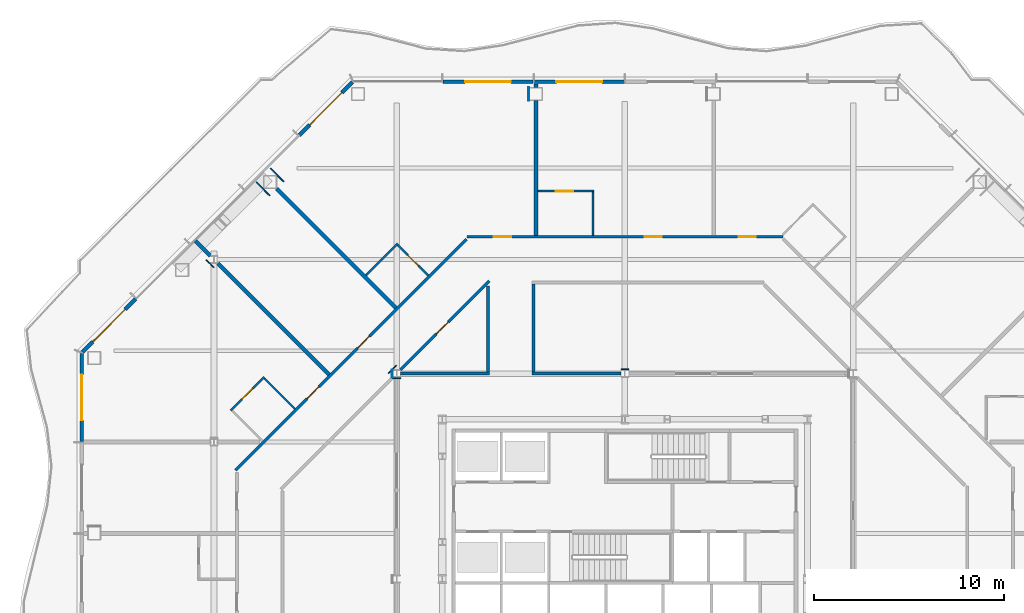
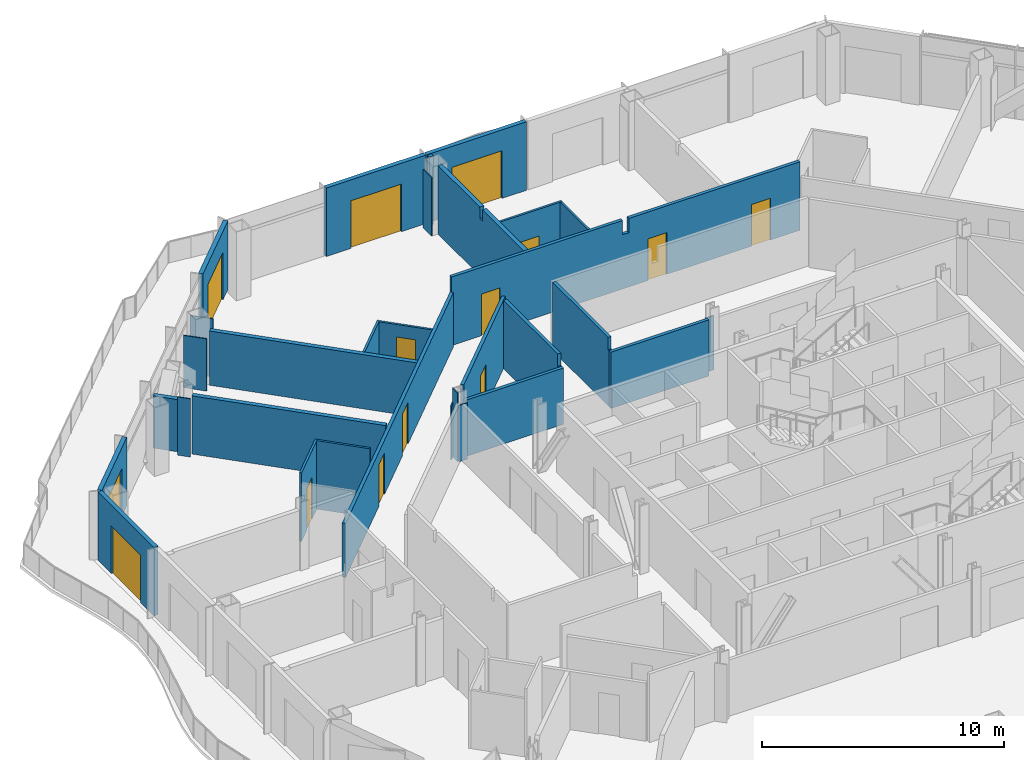
# One storey, part 14 of 24: 31 walls, 14 doors, 14 openings.
"""IFC4 building model written with IfcOpenShell, lengths in metres."""

import ifcopenshell
import ifcopenshell.guid

model = None  # the IFC model being written
_history = None  # IfcOwnerHistory: only IFC2X3 demands one
_inside = {}  # id of a spatial element -> (the spatial element, [elements in it])
_under = {}  # id of a project, library or spatial element -> (it, [spatial elements below it])
_declared = {}  # id of a project -> (the project, [libraries it declares])
_typed = {}  # id of a type object -> (the type object, [elements of that type])
_made_of = {}  # id of a material, layer set ... -> (it, [elements and type objects made of it])


def new_model(schema):
    """Start an empty IFC model of exactly this schema.

    Asked for "IFC4X3", IfcOpenShell would pick the latest addendum, in which some entities
    have other attributes; the version numbers below select the first issue.
    IFC2X3 requires an IfcOwnerHistory on every rooted entity: one is made here for all.
    """
    global model, _history
    if schema == "IFC4X3":
        model = ifcopenshell.file(schema_version=(4, 3, 0, 0))
    else:
        model = ifcopenshell.file(schema=schema)
    _inside.clear()
    _under.clear()
    _declared.clear()
    _typed.clear()
    _made_of.clear()
    _history = None
    if model.schema == "IFC2X3":
        org = make("IfcOrganization", Name="unknown")
        user = make(
            "IfcPersonAndOrganization",
            ThePerson=make("IfcPerson", FamilyName="unknown"),
            TheOrganization=org,
        )
        app = make(
            "IfcApplication",
            ApplicationDeveloper=org,
            Version="unknown",
            ApplicationFullName="unknown",
            ApplicationIdentifier="unknown",
        )
        _history = make(
            "IfcOwnerHistory",
            OwningUser=user,
            OwningApplication=app,
            ChangeAction="ADDED",
            CreationDate=0,
        )
    return model


def make(cls, **values):
    """One entity of the class cls with the attributes given. An attribute that is None is left unset."""
    return model.create_entity(
        cls, **{name: value for name, value in values.items() if value is not None}
    )


def rooted(cls, **values):
    """An entity with a GlobalId (a new one), such as an element, a storey or a relation."""
    return make(cls, GlobalId=ifcopenshell.guid.new(), OwnerHistory=_history, **values)


def si_unit(unit_type, name, prefix=None):
    """IfcSIUnit, for example si_unit("LENGTHUNIT", "METRE", prefix="MILLI")."""
    return make("IfcSIUnit", UnitType=unit_type, Prefix=prefix, Name=name)


def assignment(units):
    """IfcUnitAssignment: the units of a project."""
    return None if units is None else make("IfcUnitAssignment", Units=units)


def point(xyz):
    """IfcCartesianPoint."""
    return None if xyz is None else make("IfcCartesianPoint", Coordinates=xyz)


def direction(xyz):
    """IfcDirection."""
    return None if xyz is None else make("IfcDirection", DirectionRatios=xyz)


def frame(location, z_axis=None, x_axis=None):
    """IfcAxis2Placement3D, a coordinate frame: its origin and axes. An axis left out is left unset."""
    return make(
        "IfcAxis2Placement3D",
        Location=point(location),
        Axis=direction(z_axis),
        RefDirection=direction(x_axis),
    )


def frame_2d(location, x_axis=None):
    """IfcAxis2Placement2D, a coordinate frame in the plane: its origin and x axis."""
    return make(
        "IfcAxis2Placement2D", Location=point(location), RefDirection=direction(x_axis)
    )


def origin():
    """The frame at (0, 0, 0) with its axes left unset."""
    return frame((0.0, 0.0, 0.0))


def place(relative_to, where):
    """IfcLocalPlacement: puts the frame where relative to a parent placement (None: the world)."""
    return make(
        "IfcLocalPlacement", PlacementRelTo=relative_to, RelativePlacement=where
    )


def context(
    kind, dimensions, precision=None, world=None, true_north=None, identifier=None
):
    """IfcGeometricRepresentationContext, for example the 3D "Model" context."""
    return make(
        "IfcGeometricRepresentationContext",
        ContextIdentifier=identifier,
        ContextType=kind,
        CoordinateSpaceDimension=dimensions,
        Precision=precision,
        WorldCoordinateSystem=world,
        TrueNorth=true_north,
    )


def subcontext(parent, identifier, kind, view, scale=None):
    """IfcGeometricRepresentationSubContext, for example "Body" below "Model"."""
    return make(
        "IfcGeometricRepresentationSubContext",
        ContextIdentifier=identifier,
        ContextType=kind,
        ParentContext=parent,
        TargetScale=scale,
        TargetView=view,
    )


def project(units=None, contexts=None):
    """IfcProject with its units and contexts."""
    return rooted(
        "IfcProject",
        Name="project",
        RepresentationContexts=contexts,
        UnitsInContext=assignment(units),
    )


def spatial(cls, under=None, at=None, **own):
    """A site, building, storey or space (cls), placed at a placement, below another one or the project."""
    s = rooted(cls, ObjectPlacement=at, **own)
    if under is not None:
        _under.setdefault(under.id(), (under, []))[1].append(s)
    return s


def polyline(points):
    """IfcPolyline through the points."""
    return make("IfcPolyline", Points=[point(p) for p in points])


def profile(cls, at=None, kind="AREA", **sizes):
    """A parametric profile (cls). Its sizes go by their IFC names, for example OverallWidth=200.0."""
    return make(cls, ProfileType=kind, Position=at, **sizes)


def rectangle(**sizes):
    """IfcRectangleProfileDef."""
    return profile("IfcRectangleProfileDef", **sizes)


def outline(outer, holes=None, kind="AREA"):
    """IfcArbitraryClosedProfileDef: a profile drawn as a closed curve; with holes, ...WithVoids."""
    if holes is None:
        return make("IfcArbitraryClosedProfileDef", ProfileType=kind, OuterCurve=outer)
    return make(
        "IfcArbitraryProfileDefWithVoids",
        ProfileType=kind,
        OuterCurve=outer,
        InnerCurves=holes,
    )


def extrude(swept, where, along, depth):
    """IfcExtrudedAreaSolid: the profile swept, set in the frame where, extruded along a direction by depth."""
    return make(
        "IfcExtrudedAreaSolid",
        SweptArea=swept,
        Position=where,
        ExtrudedDirection=direction(along),
        Depth=depth,
    )


def shape(context_of_items, identifier, shape_type, items):
    """IfcShapeRepresentation: the items that make up one representation, for example the "Body"."""
    return make(
        "IfcShapeRepresentation",
        ContextOfItems=context_of_items,
        RepresentationIdentifier=identifier,
        RepresentationType=shape_type,
        Items=items,
    )


def material(Name=None, Category=None):
    """IfcMaterial."""
    return make("IfcMaterial", Name=Name, Category=Category)


def layer(
    of_material, thickness, ventilated=None, Name=None, Category=None, Priority=None
):
    """IfcMaterialLayer: one layer of a wall or slab, of a material (None: an air gap)."""
    return make(
        "IfcMaterialLayer",
        Material=of_material,
        LayerThickness=thickness,
        IsVentilated=ventilated,
        Name=Name,
        Category=Category,
        Priority=Priority,
    )


def layer_set(layers, Name=None):
    """IfcMaterialLayerSet."""
    return make("IfcMaterialLayerSet", MaterialLayers=layers, LayerSetName=Name)


def made_of(thing, what):
    """Note that an element or type object is made of a material, layer set ...; save() writes the relation."""
    if what is not None:
        _made_of.setdefault(what.id(), (what, []))[1].append(thing)
    return thing


def type_object(cls, material=None, **own):
    """A type object (cls), such as IfcWallType, which elements share."""
    return made_of(rooted(cls, **own), material)


def element(
    cls,
    number,
    at=None,
    inside=None,
    cuts=None,
    type_object=None,
    material=None,
    context=None,
    identifier="Body",
    shape_type=None,
    held_by="IfcProductDefinitionShape",
    body=None,
    shapes=None,
    **own,
):
    """One element of the class cls, such as IfcWall. Its Tag is "e" and its number.

    at: its placement. inside: the storey or other place that contains it. cuts: it is an
    opening in that element (IfcRelVoidsElement). A single representation is given by context,
    identifier, shape_type and body (its items); several are given by shapes. held_by: the class
    of the entity that holds the representations. save() writes the other relations.
    """
    e = rooted(cls, Tag="e%d" % number, ObjectPlacement=at, **own)
    if body is not None:
        shapes = [shape(context, identifier, shape_type, body)]
    if shapes is not None:
        e.Representation = make(held_by, Representations=shapes)
    if inside is not None:
        _inside.setdefault(inside.id(), (inside, []))[1].append(e)
    if cuts is not None:
        rooted(
            "IfcRelVoidsElement", RelatingBuildingElement=cuts, RelatedOpeningElement=e
        )
    if type_object is not None:
        _typed.setdefault(type_object.id(), (type_object, []))[1].append(e)
    return made_of(e, material)


def fill(opening, filler):
    """IfcRelFillsElement: the door or window that sits in an opening."""
    return rooted(
        "IfcRelFillsElement",
        RelatingOpeningElement=opening,
        RelatedBuildingElement=filler,
    )


def aggregate(whole, parts):
    """IfcRelAggregates: a whole, such as a stair, and the parts it consists of."""
    return rooted("IfcRelAggregates", RelatingObject=whole, RelatedObjects=parts)


def save(model, path):
    """Write the relations noted so far, then the file.

    IfcRelAggregates (storeys below a building ...), IfcRelContainedInSpatialStructure (elements
    in a storey), IfcRelDefinesByType, IfcRelAssociatesMaterial and IfcRelDeclares: one each for
    every whole, place, type object, material and project.
    """
    for whole, parts in _under.values():
        aggregate(whole, parts)
    for where, things in _inside.values():
        rooted(
            "IfcRelContainedInSpatialStructure",
            RelatedElements=things,
            RelatingStructure=where,
        )
    for kind, things in _typed.values():
        rooted("IfcRelDefinesByType", RelatedObjects=things, RelatingType=kind)
    for what, things in _made_of.values():
        rooted("IfcRelAssociatesMaterial", RelatedObjects=things, RelatingMaterial=what)
    for by, libraries in _declared.values():
        rooted("IfcRelDeclares", RelatingContext=by, RelatedDefinitions=libraries)
    model.write(path)


model = new_model("IFC4")

# Units and contexts
model_context = context("Model", 3, precision=1e-05, world=origin(), true_north=direction((0.0, 1.0)))
body_context = subcontext(model_context, "Body", "Model", "MODEL_VIEW")
ifc_project = project(units=[si_unit("LENGTHUNIT", "METRE"), si_unit("AREAUNIT", "SQUARE_METRE"), si_unit("VOLUMEUNIT", "CUBIC_METRE"), si_unit("PLANEANGLEUNIT", "RADIAN"), si_unit("MASSUNIT", "GRAM", prefix="KILO")], contexts=[model_context])

# Site, building, storey
site_placement = place(None, origin())
site = spatial("IfcSite", under=ifc_project, at=site_placement, CompositionType="ELEMENT")
building_placement = place(site_placement, origin())
building = spatial("IfcBuilding", under=site, at=building_placement, Name="Cairn Pilgrim Tower", CompositionType="ELEMENT")
storey_placement = place(building_placement, frame((0.0, 0.0, 125.39990234375)))
storey = spatial("IfcBuildingStorey", under=building, at=storey_placement, Name="L30", CompositionType="ELEMENT", Elevation=125.39990234375)

# Wall, opening, door
ifc_material_1 = material(Name="Bronze anodised aluminium insulated sandwich panel with mineral wool fill", Category="aluminium")
ifc_layer_1 = layer(ifc_material_1, 0.199951171875)
ifc_layer_set_1 = layer_set([ifc_layer_1], Name="BRONZE INFILL FRAME WALL 200")
wall_type_1 = type_object("IfcWallType", Name="BRONZE INFILL FRAME WALL 200", PredefinedType="NOTDEFINED", material=ifc_layer_set_1)
wall_1_placement = place(storey_placement, frame((7.169921875, 28.550048828125, 0.0), z_axis=(0.0, 0.0, 1.0), x_axis=(-1.0, 0.0, 0.0)))
wall_1 = element("IfcWall", 1, at=wall_1_placement, inside=storey, type_object=wall_type_1, Name="Bronze infill frame wall IW-N4", PredefinedType="NOTDEFINED", context=body_context, shape_type="SweptSolid", body=[
    extrude(rectangle(XDim=4.739990234375, YDim=0.199951171875, at=frame_2d((2.3701171875, 0.0))), origin(), (0.0, 0.0, 1.0), 3.4501953125),
])
opening_1_placement = place(wall_1_placement, frame((1.17041015625, 0.0, 0.0)))
opening_1 = element("IfcOpeningElement", 2, at=opening_1_placement, cuts=wall_1, Name="Opening 3009B2", PredefinedType="OPENING", context=body_context, shape_type="SweptSolid", body=[
    extrude(rectangle(XDim=2.39990234375, YDim=2.39990234375, at=frame_2d((1.199951171875, 1.199951171875))), frame((0.0, 0.10986328125, 0.0), z_axis=(0.0, -1.0, 0.0), x_axis=(1.0, 0.0, 0.0)), (0.0, 0.0, 1.0), 0.219970703125),
])
ifc_material_2 = material(Name="Bronze anodised aluminium frame with tinted low-E glass", Category="aluminium")
door_type_1 = type_object("IfcDoorType", Name="BALCONY SLIDING DOOR 2400x2400", OperationType="DOUBLE_DOOR_SLIDING", PredefinedType="DOOR", material=ifc_material_2)
door_1_placement = place(opening_1_placement, origin())
door_1 = element("IfcDoor", 3, at=door_1_placement, inside=storey, type_object=door_type_1, Name="Balcony sliding door 3009B2", OperationType="SINGLE_SWING_LEFT", OverallHeight=2.39990234375, OverallWidth=2.39990234375, PredefinedType="DOOR", context=body_context, shape_type="SweptSolid", body=[
    extrude(rectangle(XDim=2.39990234375, YDim=2.39990234375, at=frame_2d((1.199951171875, 1.199951171875))), frame((0.0, 0.02490234375, 0.0), z_axis=(0.0, -1.0, 0.0), x_axis=(1.0, 0.0, 0.0)), (0.0, 0.0, 1.0), 0.050048828125),
])
fill(opening_1, door_1)

wall_2_placement = place(storey_placement, frame((2.3701171875, 28.550048828125, 0.0), z_axis=(0.0, 0.0, 1.0), x_axis=(-1.0, 0.0, 0.0)))
wall_2 = element("IfcWall", 4, at=wall_2_placement, inside=storey, type_object=wall_type_1, Name="Bronze infill frame wall IW-N5", PredefinedType="NOTDEFINED", context=body_context, shape_type="SweptSolid", body=[
    extrude(rectangle(XDim=4.740234375, YDim=0.199951171875, at=frame_2d((2.3701171875, 0.0))), origin(), (0.0, 0.0, 1.0), 3.4501953125),
])
opening_2_placement = place(wall_2_placement, frame((1.169677734375, 0.0, 0.0)))
opening_2 = element("IfcOpeningElement", 5, at=opening_2_placement, cuts=wall_2, Name="Opening 3010B", PredefinedType="OPENING", context=body_context, shape_type="SweptSolid", body=[
    extrude(rectangle(XDim=2.39990234375, YDim=2.39990234375, at=frame_2d((1.199951171875, 1.199951171875))), frame((0.0, 0.10986328125, 0.0), z_axis=(0.0, -1.0, 0.0), x_axis=(1.0, 0.0, 0.0)), (0.0, 0.0, 1.0), 0.219970703125),
])
door_2_placement = place(opening_2_placement, origin())
door_2 = element("IfcDoor", 6, at=door_2_placement, inside=storey, type_object=door_type_1, Name="Balcony sliding door 3010B", OperationType="SINGLE_SWING_LEFT", OverallHeight=2.39990234375, OverallWidth=2.39990234375, PredefinedType="DOOR", context=body_context, shape_type="SweptSolid", body=[
    extrude(rectangle(XDim=2.39990234375, YDim=2.39990234375, at=frame_2d((1.199951171875, 1.199951171875))), frame((0.0, 0.02490234375, 0.0), z_axis=(0.0, -1.0, 0.0), x_axis=(1.0, 0.0, 0.0)), (0.0, 0.0, 1.0), 0.050048828125),
])
fill(opening_2, door_2)

wall_3_placement = place(storey_placement, frame((-7.124755859375, 28.521728515625, 0.0), z_axis=(0.0, 0.0, 1.0), x_axis=(-0.707106781187, -0.707106781187, 0.0)))
wall_3 = element("IfcWall", 7, at=wall_3_placement, inside=storey, type_object=wall_type_1, Name="Bronze infill frame wall IW-NW1", PredefinedType="NOTDEFINED", context=body_context, shape_type="SweptSolid", body=[
    extrude(rectangle(XDim=3.961669921875, YDim=0.199951171875, at=frame_2d((1.98095703125, 0.0))), origin(), (0.0, 0.0, 1.0), 3.4501953125),
])
opening_3_placement = place(wall_3_placement, frame((0.775390625, 0.0, 0.0)))
opening_3 = element("IfcOpeningElement", 8, at=opening_3_placement, cuts=wall_3, Name="Opening 3010B2", PredefinedType="OPENING", context=body_context, shape_type="SweptSolid", body=[
    extrude(rectangle(XDim=2.39990234375, YDim=2.39990234375, at=frame_2d((1.199951171875, 1.199951171875))), frame((0.0, 0.10986328125, 0.0), z_axis=(0.0, -1.0, 0.0), x_axis=(1.0, 0.0, 0.0)), (0.0, 0.0, 1.0), 0.219970703125),
])
door_3_placement = place(opening_3_placement, origin())
door_3 = element("IfcDoor", 9, at=door_3_placement, inside=storey, type_object=door_type_1, Name="Balcony sliding door 3010B2", OperationType="SINGLE_SWING_LEFT", OverallHeight=2.39990234375, OverallWidth=2.39990234375, PredefinedType="DOOR", context=body_context, shape_type="SweptSolid", body=[
    extrude(rectangle(XDim=2.39990234375, YDim=2.39990234375, at=frame_2d((1.199951171875, 1.199951171875))), frame((0.0, 0.02490234375, 0.0), z_axis=(0.0, -1.0, 0.0), x_axis=(1.0, 0.0, 0.0)), (0.0, 0.0, 1.0), 0.050048828125),
])
fill(opening_3, door_3)

wall_4_placement = place(storey_placement, frame((-18.5205078125, 17.1259765625, 0.0), z_axis=(0.0, 0.0, 1.0), x_axis=(-0.707106781187, -0.707106781187, 0.0)))
wall_4 = element("IfcWall", 10, at=wall_4_placement, inside=storey, type_object=wall_type_1, Name="Bronze infill frame wall IW-NW5", PredefinedType="NOTDEFINED", context=body_context, shape_type="SweptSolid", body=[
    extrude(rectangle(XDim=3.961669921875, YDim=0.199951171875, at=frame_2d((1.98095703125, 0.0))), origin(), (0.0, 0.0, 1.0), 3.4501953125),
])
opening_4_placement = place(wall_4_placement, frame((0.785888671875, 0.0, 0.0)))
opening_4 = element("IfcOpeningElement", 11, at=opening_4_placement, cuts=wall_4, Name="Opening 3012B2", PredefinedType="OPENING", context=body_context, shape_type="SweptSolid", body=[
    extrude(rectangle(XDim=2.39990234375, YDim=2.39990234375, at=frame_2d((1.199951171875, 1.199951171875))), frame((0.0, 0.10986328125, 0.0), z_axis=(0.0, -1.0, 0.0), x_axis=(1.0, 0.0, 0.0)), (0.0, 0.0, 1.0), 0.219970703125),
])
door_4_placement = place(opening_4_placement, origin())
door_4 = element("IfcDoor", 12, at=door_4_placement, inside=storey, type_object=door_type_1, Name="Balcony sliding door 3012B2", OperationType="SINGLE_SWING_LEFT", OverallHeight=2.39990234375, OverallWidth=2.39990234375, PredefinedType="DOOR", context=body_context, shape_type="SweptSolid", body=[
    extrude(rectangle(XDim=2.39990234375, YDim=2.39990234375, at=frame_2d((1.199951171875, 1.199951171875))), frame((0.0, 0.02490234375, 0.0), z_axis=(0.0, -1.0, 0.0), x_axis=(1.0, 0.0, 0.0)), (0.0, 0.0, 1.0), 0.050048828125),
])
fill(opening_4, door_4)

wall_5_placement = place(storey_placement, frame((-21.35009765625, 14.25634765625, 0.0), z_axis=(0.0, 0.0, 1.0), x_axis=(0.0, -1.0, 0.0)))
wall_5 = element("IfcWall", 13, at=wall_5_placement, inside=storey, type_object=wall_type_1, Name="Bronze infill frame wall IW-W1", PredefinedType="NOTDEFINED", context=body_context, shape_type="SweptSolid", body=[
    extrude(rectangle(XDim=4.62646484375, YDim=0.199951171875, at=frame_2d((2.313232421875, 0.0))), origin(), (0.0, 0.0, 1.0), 3.4501953125),
])
opening_5_placement = place(wall_5_placement, frame((1.1083984375, 0.0, 0.0)))
opening_5 = element("IfcOpeningElement", 14, at=opening_5_placement, cuts=wall_5, Name="Opening 3012B", PredefinedType="OPENING", context=body_context, shape_type="SweptSolid", body=[
    extrude(rectangle(XDim=2.39990234375, YDim=2.39990234375, at=frame_2d((1.199951171875, 1.199951171875))), frame((0.0, 0.10986328125, 0.0), z_axis=(0.0, -1.0, 0.0), x_axis=(1.0, 0.0, 0.0)), (0.0, 0.0, 1.0), 0.219970703125),
])
door_5_placement = place(opening_5_placement, origin())
door_5 = element("IfcDoor", 15, at=door_5_placement, inside=storey, type_object=door_type_1, Name="Balcony sliding door 3012B", OperationType="SINGLE_SWING_LEFT", OverallHeight=2.39990234375, OverallWidth=2.39990234375, PredefinedType="DOOR", context=body_context, shape_type="SweptSolid", body=[
    extrude(rectangle(XDim=2.39990234375, YDim=2.39990234375, at=frame_2d((1.199951171875, 1.199951171875))), frame((0.0, 0.02490234375, 0.0), z_axis=(0.0, -1.0, 0.0), x_axis=(1.0, 0.0, 0.0)), (0.0, 0.0, 1.0), 0.050048828125),
])
fill(opening_5, door_5)

ifc_material_3 = material(Name="Gypsum partition")
ifc_layer_2 = layer(ifc_material_3, 0.10009765625)
ifc_layer_set_2 = layer_set([ifc_layer_2], Name="PARTITION 100 DRYWALL")
wall_type_2 = type_object("IfcWallType", Name="PARTITION 100 DRYWALL", PredefinedType="PARTITIONING", material=ifc_layer_set_2)
wall_6_placement = place(storey_placement, frame((-13.5263671875, 11.26171875, 0.0), z_axis=(0.0, 0.0, 1.0), x_axis=(0.707106781187, 0.707106781187, 0.0)))
wall_6 = element("IfcWall", 16, at=wall_6_placement, inside=storey, type_object=wall_type_2, Name="PARTITION W061", PredefinedType="PARTITIONING", context=body_context, shape_type="SweptSolid", body=[
    extrude(rectangle(XDim=2.499755859375, YDim=0.10009765625, at=frame_2d((1.25, 0.0))), origin(), (0.0, 0.0, 1.0), 3.4501953125),
])
opening_6_placement = place(wall_6_placement, frame((0.849853515625, 0.0, 0.0)))
opening_6 = element("IfcOpeningElement", 17, at=opening_6_placement, cuts=wall_6, Name="Opening 3012A", PredefinedType="OPENING", context=body_context, shape_type="SweptSolid", body=[
    extrude(rectangle(XDim=0.800048828125, YDim=2.10009765625, at=frame_2d((0.39990234375, 1.050048828125))), frame((0.0, 0.06005859375, 0.0), z_axis=(0.0, -1.0, 0.0), x_axis=(1.0, 0.0, 0.0)), (0.0, 0.0, 1.0), 0.1201171875),
])
ifc_material_4 = material(Name="Timber door leaf", Category="wood")
door_type_2 = type_object("IfcDoorType", Name="WC DOOR 800x2100", OperationType="NOTDEFINED", PredefinedType="DOOR", material=ifc_material_4)
door_6_placement = place(opening_6_placement, origin())
door_6 = element("IfcDoor", 18, at=door_6_placement, inside=storey, type_object=door_type_2, Name="DOOR 3012A", OperationType="SINGLE_SWING_RIGHT", OverallHeight=2.10009765625, OverallWidth=0.800048828125, PredefinedType="DOOR", context=body_context, shape_type="SweptSolid", body=[
    extrude(rectangle(XDim=0.800048828125, YDim=2.10009765625, at=frame_2d((0.39990234375, 1.050048828125))), frame((0.0, 0.02490234375, 0.0), z_axis=(0.0, -1.0, 0.0), x_axis=(1.0, 0.0, 0.0)), (0.0, 0.0, 1.0), 0.050048828125),
])
fill(opening_6, door_6)

# Walls
wall_7_placement = place(storey_placement, frame((-10.14990234375, 11.35009765625, 0.0), z_axis=(0.0, 0.0, 1.0), x_axis=(-0.707160441348, 0.707053116953, 0.0)))
element("IfcWall", 19, at=wall_7_placement, inside=storey, type_object=wall_type_2, Name="PARTITION W062", PredefinedType="PARTITIONING", context=body_context, shape_type="SweptSolid", body=[
    extrude(rectangle(XDim=2.27490234375, YDim=0.10009765625, at=frame_2d((1.137451171875, 0.0))), origin(), (0.0, 0.0, 1.0), 3.4501953125),
])
wall_8_placement = place(storey_placement, frame((-6.411376953125, 18.376708984375, 0.0), z_axis=(0.0, 0.0, 1.0), x_axis=(0.707106781187, 0.707106781187, 0.0)))
element("IfcWall", 20, at=wall_8_placement, inside=storey, type_object=wall_type_2, Name="PARTITION W076", PredefinedType="PARTITIONING", context=body_context, shape_type="SweptSolid", body=[
    extrude(rectangle(XDim=2.349853515625, YDim=0.10009765625, at=frame_2d((1.1748046875, 0.0))), origin(), (0.0, 0.0, 1.0), 2.72998046875),
])

# Wall, opening, door
wall_9_placement = place(storey_placement, frame((-3.14111328125, 18.35888671875, 0.0), z_axis=(0.0, 0.0, 1.0), x_axis=(-0.707053116953, 0.707160441348, 0.0)))
wall_9 = element("IfcWall", 21, at=wall_9_placement, inside=storey, type_object=wall_type_2, Name="PARTITION W077", PredefinedType="PARTITIONING", context=body_context, shape_type="SweptSolid", body=[
    extrude(rectangle(XDim=2.27490234375, YDim=0.10009765625, at=frame_2d((1.137451171875, 0.0))), origin(), (0.0, 0.0, 1.0), 2.72998046875),
])
opening_7_placement = place(wall_9_placement, frame((0.72509765625, 0.0, 0.0)))
opening_7 = element("IfcOpeningElement", 22, at=opening_7_placement, cuts=wall_9, Name="Opening 3010A", PredefinedType="OPENING", context=body_context, shape_type="SweptSolid", body=[
    extrude(rectangle(XDim=0.800048828125, YDim=2.10009765625, at=frame_2d((0.39990234375, 1.050048828125))), frame((0.0, 0.06005859375, 0.0), z_axis=(0.0, -1.0, 0.0), x_axis=(1.0, 0.0, 0.0)), (0.0, 0.0, 1.0), 0.1201171875),
])
door_7_placement = place(opening_7_placement, frame((0.800048828125, 0.0, 0.0), z_axis=(0.0, 0.0, 1.0), x_axis=(-1.0, 0.0, 0.0)))
door_7 = element("IfcDoor", 23, at=door_7_placement, inside=storey, type_object=door_type_2, Name="DOOR 3010A", OperationType="SINGLE_SWING_RIGHT", OverallHeight=2.10009765625, OverallWidth=0.800048828125, PredefinedType="DOOR", context=body_context, shape_type="SweptSolid", body=[
    extrude(rectangle(XDim=0.800048828125, YDim=2.10009765625, at=frame_2d((0.39990234375, 1.050048828125))), frame((0.0, 0.02490234375, 0.0), z_axis=(0.0, -1.0, 0.0), x_axis=(1.0, 0.0, 0.0)), (0.0, 0.0, 1.0), 0.050048828125),
])
fill(opening_7, door_7)

# Wall
wall_10_placement = place(storey_placement, frame((5.52392578125, 20.47509765625, 0.0), z_axis=(0.0, 0.0, 1.0), x_axis=(0.0, 1.0, 0.0)))
element("IfcWall", 24, at=wall_10_placement, inside=storey, type_object=wall_type_2, Name="PARTITION W083", PredefinedType="PARTITIONING", context=body_context, shape_type="SweptSolid", body=[
    extrude(rectangle(XDim=2.27490234375, YDim=0.10009765625, at=frame_2d((1.137451171875, 0.0))), origin(), (0.0, 0.0, 1.0), 3.4501953125),
])

# Wall, opening, door
wall_11_placement = place(storey_placement, frame((2.6240234375, 22.800048828125, 0.0), z_axis=(0.0, 0.0, 1.0), x_axis=(1.0, 0.0, 0.0)))
wall_11 = element("IfcWall", 25, at=wall_11_placement, inside=storey, type_object=wall_type_2, Name="PARTITION W086", PredefinedType="PARTITIONING", context=body_context, shape_type="SweptSolid", body=[
    extrude(rectangle(XDim=2.949951171875, YDim=0.10009765625, at=frame_2d((1.47509765625, 0.0))), origin(), (0.0, 0.0, 1.0), 3.4501953125),
])
opening_8_placement = place(wall_11_placement, frame((0.949951171875, 0.0, 0.0)))
opening_8 = element("IfcOpeningElement", 26, at=opening_8_placement, cuts=wall_11, Name="Opening 3009A", PredefinedType="OPENING", context=body_context, shape_type="SweptSolid", body=[
    extrude(rectangle(XDim=0.89990234375, YDim=2.10009765625, at=frame_2d((0.449951171875, 1.050048828125))), frame((0.0, 0.06005859375, 0.0), z_axis=(0.0, -1.0, 0.0), x_axis=(1.0, 0.0, 0.0)), (0.0, 0.0, 1.0), 0.1201171875),
])
door_type_3 = type_object("IfcDoorType", Name="WC DOOR 900x2100", OperationType="NOTDEFINED", PredefinedType="DOOR", material=ifc_material_4)
door_8_placement = place(opening_8_placement, origin())
door_8 = element("IfcDoor", 27, at=door_8_placement, inside=storey, type_object=door_type_3, Name="DOOR 3009A", OperationType="SINGLE_SWING_LEFT", OverallHeight=2.10009765625, OverallWidth=0.89990234375, PredefinedType="DOOR", context=body_context, shape_type="SweptSolid", body=[
    extrude(rectangle(XDim=0.89990234375, YDim=2.10009765625, at=frame_2d((0.449951171875, 1.050048828125))), frame((0.0, 0.02490234375, 0.0), z_axis=(0.0, -1.0, 0.0), x_axis=(1.0, 0.0, 0.0)), (0.0, 0.0, 1.0), 0.050048828125),
])
fill(opening_8, door_8)

# Wall, openings, doors
ifc_layer_3 = layer(ifc_material_3, 0.14990234375)
ifc_layer_set_3 = layer_set([ifc_layer_3], Name="PARTITION 150 DRYWALL EI 60")
wall_type_3 = type_object("IfcWallType", Name="PARTITION 150 DRYWALL EI 60", PredefinedType="PARTITIONING", material=ifc_layer_set_3)
wall_12_placement = place(storey_placement, frame((-13.27490234375, 8.118896484375, 0.0), z_axis=(0.0, 0.0, 1.0), x_axis=(0.707099678619, 0.707113883683, 0.0)))
wall_12 = element("IfcWall", 28, at=wall_12_placement, inside=storey, type_object=wall_type_3, Name="PARTITION W052", PredefinedType="PARTITIONING", context=body_context, shape_type="SweptSolid", body=[
    extrude(rectangle(XDim=17.186767578125, YDim=0.14990234375, at=frame_2d((8.59326171875, 0.0))), origin(), (0.0, 0.0, 1.0), 2.72998046875),
])
opening_9_placement = place(wall_12_placement, frame((9.072998046875, 0.0, 0.0)))
opening_9 = element("IfcOpeningElement", 29, at=opening_9_placement, cuts=wall_12, Name="Opening 3011", PredefinedType="OPENING", context=body_context, shape_type="SweptSolid", body=[
    extrude(rectangle(XDim=0.89990234375, YDim=2.10009765625, at=frame_2d((0.449951171875, 1.050048828125))), frame((0.0, 0.0849609375, 0.0), z_axis=(0.0, -1.0, 0.0), x_axis=(1.0, 0.0, 0.0)), (0.0, 0.0, 1.0), 0.169921875),
])
opening_10_placement = place(wall_12_placement, frame((5.3173828125, 0.0, 0.0)))
opening_10 = element("IfcOpeningElement", 30, at=opening_10_placement, cuts=wall_12, Name="Opening 3012", PredefinedType="OPENING", context=body_context, shape_type="SweptSolid", body=[
    extrude(rectangle(XDim=0.89990234375, YDim=2.10009765625, at=frame_2d((0.449951171875, 1.050048828125))), frame((0.0, 0.0849609375, 0.0), z_axis=(0.0, -1.0, 0.0), x_axis=(1.0, 0.0, 0.0)), (0.0, 0.0, 1.0), 0.169921875),
])
door_type_4 = type_object("IfcDoorType", Name="ROOM DOOR 900x2100 FD30S", OperationType="NOTDEFINED", PredefinedType="DOOR", material=ifc_material_4)
door_9_placement = place(opening_10_placement, origin())
door_9 = element("IfcDoor", 31, at=door_9_placement, inside=storey, type_object=door_type_4, Name="DOOR 3012", OperationType="SINGLE_SWING_RIGHT", OverallHeight=2.10009765625, OverallWidth=0.89990234375, PredefinedType="DOOR", context=body_context, shape_type="SweptSolid", body=[
    extrude(rectangle(XDim=0.89990234375, YDim=2.10009765625, at=frame_2d((0.449951171875, 1.050048828125))), frame((0.0, 0.02490234375, 0.0), z_axis=(0.0, -1.0, 0.0), x_axis=(1.0, 0.0, 0.0)), (0.0, 0.0, 1.0), 0.050048828125),
])
fill(opening_10, door_9)
door_type_5 = type_object("IfcDoorType", Name="SERVICE DOOR 900x2100 FD30S", OperationType="NOTDEFINED", PredefinedType="DOOR", material=ifc_material_4)
door_10_placement = place(opening_9_placement, origin())
door_10 = element("IfcDoor", 32, at=door_10_placement, inside=storey, type_object=door_type_5, Name="DOOR 3011", OperationType="SINGLE_SWING_RIGHT", OverallHeight=2.10009765625, OverallWidth=0.89990234375, PredefinedType="DOOR", context=body_context, shape_type="SweptSolid", body=[
    extrude(rectangle(XDim=0.89990234375, YDim=2.10009765625, at=frame_2d((0.449951171875, 1.050048828125))), frame((0.0, 0.02490234375, 0.0), z_axis=(0.0, -1.0, 0.0), x_axis=(1.0, 0.0, 0.0)), (0.0, 0.0, 1.0), 0.050048828125),
])
fill(opening_9, door_10)

# Walls
wall_13_placement = place(storey_placement, frame((-4.595458984375, 13.199951171875, 0.0), z_axis=(0.0, 0.0, 1.0), x_axis=(1.0, 0.0, 0.0)))
element("IfcWall", 33, at=wall_13_placement, inside=storey, type_object=wall_type_3, Name="PARTITION W066", PredefinedType="PARTITIONING", context=body_context, shape_type="SweptSolid", body=[
    extrude(rectangle(XDim=4.67041015625, YDim=0.14990234375, at=frame_2d((2.335205078125, 0.0))), origin(), (0.0, 0.0, 1.0), 2.830078125),
])
wall_14_placement = place(storey_placement, frame((2.324951171875, 13.199951171875, 0.0), z_axis=(0.0, 0.0, 1.0), x_axis=(1.0, 0.0, 0.0)))
element("IfcWall", 34, at=wall_14_placement, inside=storey, type_object=wall_type_3, Name="PARTITION W067", PredefinedType="PARTITIONING", context=body_context, shape_type="SweptSolid", body=[
    extrude(rectangle(XDim=4.670654296875, YDim=0.14990234375, at=frame_2d((2.33544921875, 0.0))), origin(), (0.0, 0.0, 1.0), 2.830078125),
])
wall_15_placement = place(storey_placement, frame((0.0, 13.27490234375, 0.0), z_axis=(0.0, 0.0, 1.0), x_axis=(0.0, 1.0, 0.0)))
element("IfcWall", 35, at=wall_15_placement, inside=storey, type_object=wall_type_3, Name="PARTITION W069", PredefinedType="PARTITIONING", context=body_context, shape_type="SweptSolid", body=[
    extrude(outline(polyline([(0.0, 0.0), (4.5439453125, 0.0), (4.5439453125, 3.4501953125), (0.074951171875, 3.4501953125), (0.072998046875, 2.830078125), (0.0, 2.830078125), (0.0, 0.0)])), frame((0.0, 0.074951171875, 0.0), z_axis=(0.0, -1.0, 0.0), x_axis=(1.0, 0.0, 0.0)), (0.0, 0.0, 1.0), 0.14990234375),
])
wall_16_placement = place(storey_placement, frame((2.39990234375, 13.27490234375, 0.0), z_axis=(0.0, 0.0, 1.0), x_axis=(0.0, 1.0, 0.0)))
element("IfcWall", 36, at=wall_16_placement, inside=storey, type_object=wall_type_3, Name="PARTITION W070", PredefinedType="PARTITIONING", context=body_context, shape_type="SweptSolid", body=[
    extrude(outline(polyline([(0.0, 0.0), (4.650146484375, 0.0), (4.64990234375, 3.4501953125), (0.074951171875, 3.4501953125), (0.072998046875, 2.830078125), (0.0, 2.830078125), (0.0, 0.0)])), frame((0.0, 0.074951171875, 0.0), z_axis=(0.0, -1.0, 0.0), x_axis=(1.0, 0.0, 0.0)), (0.0, 0.0, 1.0), 0.14990234375),
])

# Wall, opening, door
wall_17_placement = place(storey_placement, frame((-4.591552734375, 13.408447265625, 0.0), z_axis=(0.0, 0.0, 1.0), x_axis=(0.707106781187, 0.707106781187, 0.0)))
wall_17 = element("IfcWall", 37, at=wall_17_placement, inside=storey, type_object=wall_type_3, Name="PARTITION W071", PredefinedType="PARTITIONING", context=body_context, shape_type="SweptSolid", body=[
    extrude(rectangle(XDim=6.599365234375, YDim=0.14990234375, at=frame_2d((3.2998046875, 0.0))), origin(), (0.0, 0.0, 1.0), 3.4501953125),
])
opening_11_placement = place(wall_17_placement, frame((2.6494140625, 0.0, 0.0)))
opening_11 = element("IfcOpeningElement", 38, at=opening_11_placement, cuts=wall_17, Name="Opening 3023", PredefinedType="OPENING", context=body_context, shape_type="SweptSolid", body=[
    extrude(rectangle(XDim=0.89990234375, YDim=2.10009765625, at=frame_2d((0.449951171875, 1.050048828125))), frame((0.0, 0.0849609375, 0.0), z_axis=(0.0, -1.0, 0.0), x_axis=(1.0, 0.0, 0.0)), (0.0, 0.0, 1.0), 0.169921875),
])
door_11_placement = place(opening_11_placement, frame((0.89990234375, 0.0, 0.0), z_axis=(0.0, 0.0, 1.0), x_axis=(-1.0, 0.0, 0.0)))
door_11 = element("IfcDoor", 39, at=door_11_placement, inside=storey, type_object=door_type_5, Name="DOOR 3023", OperationType="SINGLE_SWING_LEFT", OverallHeight=2.10009765625, OverallWidth=0.89990234375, PredefinedType="DOOR", context=body_context, shape_type="SweptSolid", body=[
    extrude(rectangle(XDim=0.89990234375, YDim=2.10009765625, at=frame_2d((0.449951171875, 1.050048828125))), frame((0.0, 0.02490234375, 0.0), z_axis=(0.0, -1.0, 0.0), x_axis=(1.0, 0.0, 0.0)), (0.0, 0.0, 1.0), 0.050048828125),
])
fill(opening_11, door_11)

# Wall, openings, doors
wall_18_placement = place(storey_placement, frame((-1.10009765625, 20.39990234375, 0.0), z_axis=(0.0, 0.0, 1.0), x_axis=(1.0, 0.0, 0.0)))
wall_18 = element("IfcWall", 40, at=wall_18_placement, inside=storey, type_object=wall_type_3, Name="PARTITION W080", PredefinedType="PARTITIONING", context=body_context, shape_type="SweptSolid", body=[
    extrude(outline(polyline([(0.0, 0.0), (16.60009765625, 0.0), (16.60009765625, 3.4501953125), (8.4501953125, 3.4501953125), (8.447998046875, 2.72998046875), (8.150146484375, 2.72998046875), (8.148193359375, 3.4501953125), (0.0, 3.4501953125), (0.0, 0.0)])), frame((0.0, 0.074951171875, 0.0), z_axis=(0.0, -1.0, 0.0), x_axis=(1.0, 0.0, 0.0)), (0.0, 0.0, 1.0), 0.14990234375),
])
opening_12_placement = place(wall_18_placement, frame((14.28515625, 0.0, 0.0)))
opening_12 = element("IfcOpeningElement", 41, at=opening_12_placement, cuts=wall_18, Name="Opening 3008", PredefinedType="OPENING", context=body_context, shape_type="SweptSolid", body=[
    extrude(rectangle(XDim=0.89990234375, YDim=2.10009765625, at=frame_2d((0.449951171875, 1.050048828125))), frame((0.0, 0.0849609375, 0.0), z_axis=(0.0, -1.0, 0.0), x_axis=(1.0, 0.0, 0.0)), (0.0, 0.0, 1.0), 0.169921875),
])
opening_13_placement = place(wall_18_placement, frame((9.35009765625, 0.0, 0.0)))
opening_13 = element("IfcOpeningElement", 42, at=opening_13_placement, cuts=wall_18, Name="Opening 3009", PredefinedType="OPENING", context=body_context, shape_type="SweptSolid", body=[
    extrude(rectangle(XDim=0.89990234375, YDim=2.10009765625, at=frame_2d((0.449951171875, 1.050048828125))), frame((0.0, 0.0849609375, 0.0), z_axis=(0.0, -1.0, 0.0), x_axis=(1.0, 0.0, 0.0)), (0.0, 0.0, 1.0), 0.169921875),
])
opening_14_placement = place(wall_18_placement, frame((1.4150390625, 0.0, 0.0)))
opening_14 = element("IfcOpeningElement", 43, at=opening_14_placement, cuts=wall_18, Name="Opening 3010", PredefinedType="OPENING", context=body_context, shape_type="SweptSolid", body=[
    extrude(rectangle(XDim=0.89990234375, YDim=2.10009765625, at=frame_2d((0.449951171875, 1.050048828125))), frame((0.0, 0.0849609375, 0.0), z_axis=(0.0, -1.0, 0.0), x_axis=(1.0, 0.0, 0.0)), (0.0, 0.0, 1.0), 0.169921875),
])
door_12_placement = place(opening_12_placement, origin())
door_12 = element("IfcDoor", 44, at=door_12_placement, inside=storey, type_object=door_type_4, Name="DOOR 3008", OperationType="SINGLE_SWING_LEFT", OverallHeight=2.10009765625, OverallWidth=0.89990234375, PredefinedType="DOOR", context=body_context, shape_type="SweptSolid", body=[
    extrude(rectangle(XDim=0.89990234375, YDim=2.10009765625, at=frame_2d((0.449951171875, 1.050048828125))), frame((0.0, 0.02490234375, 0.0), z_axis=(0.0, -1.0, 0.0), x_axis=(1.0, 0.0, 0.0)), (0.0, 0.0, 1.0), 0.050048828125),
])
fill(opening_12, door_12)
door_13_placement = place(opening_13_placement, origin())
door_13 = element("IfcDoor", 45, at=door_13_placement, inside=storey, type_object=door_type_4, Name="DOOR 3009", OperationType="SINGLE_SWING_LEFT", OverallHeight=2.10009765625, OverallWidth=0.89990234375, PredefinedType="DOOR", context=body_context, shape_type="SweptSolid", body=[
    extrude(rectangle(XDim=0.89990234375, YDim=2.10009765625, at=frame_2d((0.449951171875, 1.050048828125))), frame((0.0, 0.02490234375, 0.0), z_axis=(0.0, -1.0, 0.0), x_axis=(1.0, 0.0, 0.0)), (0.0, 0.0, 1.0), 0.050048828125),
])
fill(opening_13, door_13)
door_14_placement = place(opening_14_placement, origin())
door_14 = element("IfcDoor", 46, at=door_14_placement, inside=storey, type_object=door_type_4, Name="DOOR 3010", OperationType="SINGLE_SWING_RIGHT", OverallHeight=2.10009765625, OverallWidth=0.89990234375, PredefinedType="DOOR", context=body_context, shape_type="SweptSolid", body=[
    extrude(rectangle(XDim=0.89990234375, YDim=2.10009765625, at=frame_2d((0.449951171875, 1.050048828125))), frame((0.0, 0.02490234375, 0.0), z_axis=(0.0, -1.0, 0.0), x_axis=(1.0, 0.0, 0.0)), (0.0, 0.0, 1.0), 0.050048828125),
])
fill(opening_14, door_14)

# Walls
ifc_layer_4 = layer(ifc_material_3, 0.050048828125)
ifc_layer_set_4 = layer_set([ifc_layer_4], Name="PARTITION 50 DRYWALL EI 60")
wall_type_4 = type_object("IfcWallType", Name="PARTITION 50 DRYWALL EI 60", PredefinedType="PARTITIONING", material=ifc_layer_set_4)
wall_19_placement = place(storey_placement, frame((-5.029541015625, 12.987548828125, 0.0), z_axis=(0.0, 0.0, 1.0), x_axis=(0.0, 1.0, 0.0)))
element("IfcWall", 47, at=wall_19_placement, inside=storey, type_object=wall_type_4, Name="COLUMN CASING WC16", PredefinedType="PARTITIONING", context=body_context, shape_type="SweptSolid", body=[
    extrude(rectangle(XDim=0.425048828125, YDim=0.050048828125, at=frame_2d((0.21240234375, 0.0))), origin(), (0.0, 0.0, 1.0), 3.4501953125),
])
wall_20_placement = place(storey_placement, frame((-5.234619140625, 13.2177734375, 0.0), z_axis=(0.0, 0.0, 1.0), x_axis=(0.707106781187, 0.707106781187, 0.0)))
element("IfcWall", 48, at=wall_20_placement, inside=storey, type_object=wall_type_4, Name="COLUMN CASING WC23", PredefinedType="PARTITIONING", context=body_context, shape_type="SweptSolid", body=[
    extrude(rectangle(XDim=0.589599609375, YDim=0.050048828125, at=frame_2d((0.294921875, 0.0))), origin(), (0.0, 0.0, 1.0), 2.72998046875),
])
wall_21_placement = place(storey_placement, frame((-14.417724609375, 18.786376953125, 0.0), z_axis=(0.0, 0.0, 1.0), x_axis=(-0.707106781187, 0.707106781187, 0.0)))
element("IfcWall", 49, at=wall_21_placement, inside=storey, type_object=wall_type_4, Name="COLUMN CASING WC29", PredefinedType="PARTITIONING", context=body_context, shape_type="SweptSolid", body=[
    extrude(rectangle(XDim=0.56005859375, YDim=0.050048828125, at=frame_2d((0.280029296875, 0.0))), origin(), (0.0, 0.0, 1.0), 2.93017578125),
])
wall_22_placement = place(storey_placement, frame((-5.00439453125, 12.96240234375, 0.0), z_axis=(0.0, 0.0, 1.0), x_axis=(1.0, 0.0, 0.0)))
element("IfcWall", 50, at=wall_22_placement, inside=storey, type_object=wall_type_4, Name="COLUMN CASING WC30", PredefinedType="PARTITIONING", context=body_context, shape_type="SweptSolid", body=[
    extrude(rectangle(XDim=0.408935546875, YDim=0.050048828125, at=frame_2d((0.20458984375, 0.0))), origin(), (0.0, 0.0, 1.0), 2.830078125),
])
wall_23_placement = place(storey_placement, frame((6.99560546875, 13.4375, 0.0), z_axis=(0.0, 0.0, 1.0), x_axis=(1.0, 0.0, 0.0)))
element("IfcWall", 51, at=wall_23_placement, inside=storey, type_object=wall_type_4, Name="COLUMN CASING WC31", PredefinedType="PARTITIONING", context=body_context, shape_type="SweptSolid", body=[
    extrude(rectangle(XDim=0.408935546875, YDim=0.050048828125, at=frame_2d((0.20458984375, 0.0))), origin(), (0.0, 0.0, 1.0), 2.72998046875),
])
wall_24_placement = place(storey_placement, frame((-11.46923828125, 22.55810546875, 0.0), z_axis=(0.0, 0.0, 1.0), x_axis=(-0.707106781187, 0.707106781187, 0.0)))
element("IfcWall", 52, at=wall_24_placement, inside=storey, type_object=wall_type_4, Name="COLUMN CASING WC33", PredefinedType="PARTITIONING", context=body_context, shape_type="SweptSolid", body=[
    extrude(rectangle(XDim=0.989990234375, YDim=0.050048828125, at=frame_2d((0.4951171875, 0.0))), origin(), (0.0, 0.0, 1.0), 2.630126953125),
])
wall_25_placement = place(storey_placement, frame((-10.73388671875, 23.29345703125, 0.0), z_axis=(0.0, 0.0, 1.0), x_axis=(-0.707106781187, 0.707106781187, 0.0)))
element("IfcWall", 53, at=wall_25_placement, inside=storey, type_object=wall_type_4, Name="COLUMN CASING WC34", PredefinedType="PARTITIONING", context=body_context, shape_type="SweptSolid", body=[
    extrude(rectangle(XDim=0.989990234375, YDim=0.050048828125, at=frame_2d((0.4951171875, 0.0))), origin(), (0.0, 0.0, 1.0), 2.93017578125),
])
wall_26_placement = place(storey_placement, frame((2.1494140625, 27.550048828125, 0.0), z_axis=(0.0, 0.0, 1.0), x_axis=(0.0, 1.0, 0.0)))
element("IfcWall", 54, at=wall_26_placement, inside=storey, type_object=wall_type_4, Name="COLUMN CASING WC37", PredefinedType="PARTITIONING", context=body_context, shape_type="SweptSolid", body=[
    extrude(rectangle(XDim=0.699951171875, YDim=0.050048828125, at=frame_2d((0.35009765625, 0.0))), origin(), (0.0, 0.0, 1.0), 2.93017578125),
])
ifc_layer_5 = layer(ifc_material_3, 0.199951171875)
ifc_layer_set_5 = layer_set([ifc_layer_5], Name="SHAFT WALL 200 GYPSUM EI 60")
wall_type_5 = type_object("IfcWallType", Name="SHAFT WALL 200 GYPSUM EI 60", PredefinedType="PARTITIONING", material=ifc_layer_set_5)
wall_27_placement = place(storey_placement, frame((-8.35009765625, 13.14990234375, 0.0), z_axis=(0.0, 0.0, 1.0), x_axis=(-0.707092030896, 0.707121531169, 0.0)))
element("IfcWall", 55, at=wall_27_placement, inside=storey, type_object=wall_type_5, Name="PARTITION W065", PredefinedType="PARTITIONING", context=body_context, shape_type="SweptSolid", body=[
    extrude(rectangle(XDim=8.27587890625, YDim=0.199951171875, at=frame_2d((4.137939453125, 0.0))), origin(), (0.0, 0.0, 1.0), 2.93017578125),
])
wall_28_placement = place(storey_placement, frame((-4.837890625, 16.662109375, 0.0), z_axis=(0.0, 0.0, 1.0), x_axis=(-0.707120561855, 0.707093000249, 0.0)))
element("IfcWall", 56, at=wall_28_placement, inside=storey, type_object=wall_type_5, Name="PARTITION W073", PredefinedType="PARTITIONING", context=body_context, shape_type="SweptSolid", body=[
    extrude(rectangle(XDim=8.85791015625, YDim=0.199951171875, at=frame_2d((4.428955078125, 0.0))), origin(), (0.0, 0.0, 1.0), 2.72998046875),
])
wall_29_placement = place(storey_placement, frame((-14.597900390625, 19.39794921875, 0.0), z_axis=(0.0, 0.0, 1.0), x_axis=(-0.707106781187, 0.707106781187, 0.0)))
element("IfcWall", 57, at=wall_29_placement, inside=storey, type_object=wall_type_5, Name="PARTITION W079", PredefinedType="PARTITIONING", context=body_context, shape_type="SweptSolid", body=[
    extrude(rectangle(XDim=1.107177734375, YDim=0.199951171875, at=frame_2d((0.5537109375, 0.0))), origin(), (0.0, 0.0, 1.0), 2.630126953125),
])
wall_30_placement = place(storey_placement, frame((2.52392578125, 20.47509765625, 0.0), z_axis=(0.0, 0.0, 1.0), x_axis=(0.0, 1.0, 0.0)))
element("IfcWall", 58, at=wall_30_placement, inside=storey, type_object=wall_type_5, Name="PARTITION W082", PredefinedType="PARTITIONING", context=body_context, shape_type="SweptSolid", body=[
    extrude(outline(polyline([(0.0, 0.0), (7.074951171875, 0.0), (7.074951171875, 3.4501953125), (3.6298828125, 3.4501953125), (3.6279296875, 2.880126953125), (3.419921875, 2.880126953125), (3.41796875, 3.4501953125), (0.0, 3.4501953125), (0.0, 0.0)])), frame((0.0, 0.10009765625, 0.0), z_axis=(0.0, -1.0, 0.0), x_axis=(1.0, 0.0, 0.0)), (0.0, 0.0, 1.0), 0.199951171875),
])
wall_31_placement = place(storey_placement, frame((2.52392578125, 28.25, 0.0), z_axis=(0.0, 0.0, 1.0), x_axis=(0.0, 1.0, 0.0)))
element("IfcWall", 59, at=wall_31_placement, inside=storey, type_object=wall_type_5, Name="PARTITION W087", PredefinedType="PARTITIONING", context=body_context, shape_type="SweptSolid", body=[
    extrude(rectangle(XDim=0.169921875, YDim=0.199951171875, at=frame_2d((0.0849609375, 0.0))), origin(), (0.0, 0.0, 1.0), 3.4501953125),
])

save(model, "model.ifc")
